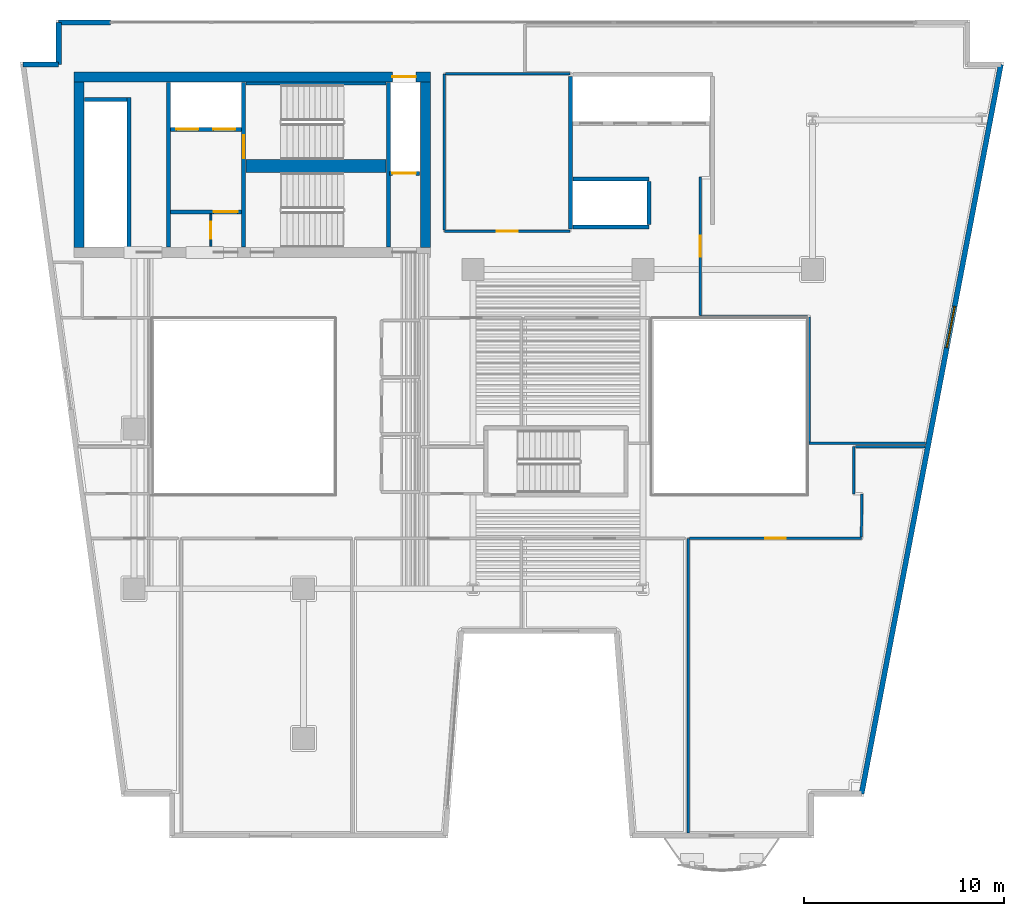
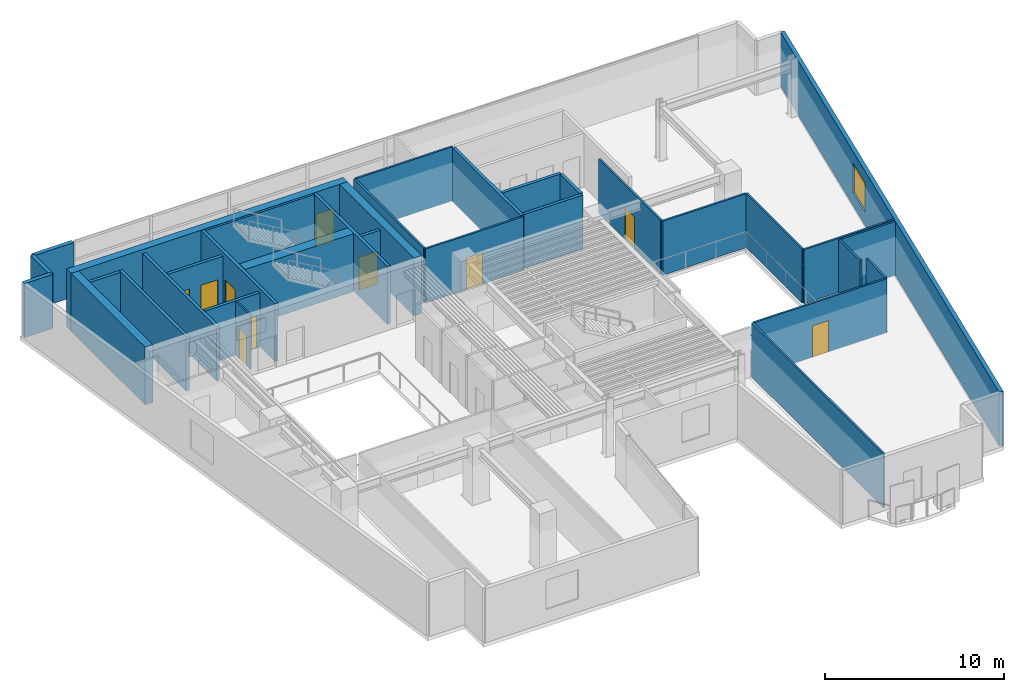
# One storey, part 7 of 12: 34 walls, 10 doors, 1 window, 11 openings.
"""IFC4 building model written with IfcOpenShell, lengths in metres."""

from ifc_helpers import new_model, si_unit, direction, frame, frame_2d, origin, place, context, subcontext, project, spatial, rectangle, extrude, material, layer, layer_set, type_object, element, fill, save


model = new_model("IFC4")

# Units and contexts
model_context = context("Model", 3, precision=1e-05, world=origin(), true_north=direction((0.0, 1.0)))
body_context = subcontext(model_context, "Body", "Model", "MODEL_VIEW")
ifc_project = project(units=[si_unit("LENGTHUNIT", "METRE"), si_unit("AREAUNIT", "SQUARE_METRE"), si_unit("VOLUMEUNIT", "CUBIC_METRE"), si_unit("PLANEANGLEUNIT", "RADIAN"), si_unit("MASSUNIT", "GRAM", prefix="KILO")], contexts=[model_context])

# Site, building, storey
site_placement = place(None, origin())
site = spatial("IfcSite", under=ifc_project, at=site_placement, CompositionType="ELEMENT")
building_placement = place(site_placement, origin())
building = spatial("IfcBuilding", under=site, at=building_placement, Name="Caeloran Harvest Quay", CompositionType="ELEMENT")
storey_placement = place(building_placement, frame((0.0, 0.0, 154.85009765625)))
storey = spatial("IfcBuildingStorey", under=building, at=storey_placement, Name="L36", CompositionType="ELEMENT", Elevation=154.85009765625)

# Walls
ifc_material_1 = material(Name="Precast concrete C50/60", Category="concrete")
ifc_layer_1 = layer(ifc_material_1, 0.260009765625, Name="Precast concrete C50/60")
ifc_layer_set_1 = layer_set([ifc_layer_1], Name="Precast concrete C50/60")
wall_type_1 = type_object("IfcWallType", Name="ENV-WALL-EW-260", PredefinedType="STANDARD", material=ifc_layer_set_1)
wall_1_placement = place(storey_placement, frame((2.939697265625, 41.27001953125, 0.0), z_axis=(0.0, 0.0, 1.0), x_axis=(1.0, 0.0, 0.0)))
element("IfcWall", 1, at=wall_1_placement, inside=storey, type_object=wall_type_1, Name="L36 Exterior Precast Concrete Facade Wall 4", PredefinedType="STANDARD", context=body_context, shape_type="SweptSolid", body=[
    extrude(rectangle(XDim=1.790283203125, YDim=0.260009765625, at=frame_2d((0.89501953125, 0.0))), origin(), (0.0, 0.0, 1.0), 3.68994140625),
])
wall_2_placement = place(storey_placement, frame((4.72998046875, 41.27001953125, 0.0), z_axis=(0.0, 0.0, 1.0), x_axis=(0.0, 1.0, 0.0)))
element("IfcWall", 2, at=wall_2_placement, inside=storey, type_object=wall_type_1, Name="L36 Exterior Precast Concrete Facade Wall 5", PredefinedType="STANDARD", context=body_context, shape_type="SweptSolid", body=[
    extrude(rectangle(XDim=2.10009765625, YDim=0.260009765625, at=frame_2d((1.050048828125, 0.0))), origin(), (0.0, 0.0, 1.0), 3.68994140625),
])
wall_3_placement = place(storey_placement, frame((4.72998046875, 43.3701171875, 0.0), z_axis=(0.0, 0.0, 1.0), x_axis=(1.0, 0.0, 0.0)))
element("IfcWall", 3, at=wall_3_placement, inside=storey, type_object=wall_type_1, Name="L36 Exterior Facade Corner Pier Wall 6A", PredefinedType="STANDARD", context=body_context, shape_type="SweptSolid", body=[
    extrude(rectangle(XDim=2.60009765625, YDim=0.260009765625, at=frame_2d((1.300048828125, 0.0))), origin(), (0.0, 0.0, 1.0), 3.68994140625),
])

# Wall, opening, window
wall_4_placement = place(storey_placement, frame((51.94189453125, 41.27001953125, 0.0), z_axis=(0.0, 0.0, 1.0), x_axis=(-0.187592192405, -0.982247000173, 0.0)))
wall_4 = element("IfcWall", 4, at=wall_4_placement, inside=storey, type_object=wall_type_1, Name="L36 Exterior Precast Concrete Facade Wall 9", PredefinedType="STANDARD", context=body_context, shape_type="SweptSolid", body=[
    extrude(rectangle(XDim=37.200439453125, YDim=0.260009765625, at=frame_2d((18.60009765625, 0.0))), origin(), (0.0, 0.0, 1.0), 3.68994140625),
])
opening_1_placement = place(wall_4_placement, frame((12.342041015625, 0.0, 0.89990234375)))
opening_1 = element("IfcOpeningElement", 5, at=opening_1_placement, cuts=wall_4, Name="Opening W-06", PredefinedType="OPENING", context=body_context, shape_type="SweptSolid", body=[
    extrude(rectangle(XDim=2.10009765625, YDim=2.0, at=frame_2d((1.050048828125, 1.0))), frame((0.0, 0.14013671875, 0.0), z_axis=(0.0, -1.0, 0.0), x_axis=(1.0, 0.0, 0.0)), (0.0, 0.0, 1.0), 0.280029296875),
])
ifc_material_2 = material(Name="Aluminium-Framed Low-E Laminated Glass", Category="aluminium")
window_type = type_object("IfcWindowType", Name="WIN-W-06", PartitioningType="DOUBLE_PANEL_VERTICAL", PredefinedType="WINDOW", material=ifc_material_2)
window_placement = place(opening_1_placement, origin())
window = element("IfcWindow", 6, at=window_placement, inside=storey, type_object=window_type, Name="L36 Facade Punched Window W-06", OverallHeight=2.0, OverallWidth=2.10009765625, PartitioningType="DOUBLE_PANEL_VERTICAL", PredefinedType="WINDOW", context=body_context, shape_type="SweptSolid", body=[
    extrude(rectangle(XDim=2.10009765625, YDim=2.0, at=frame_2d((1.050048828125, 1.0))), frame((0.0, 0.030029296875, 0.0), z_axis=(0.0, -1.0, 0.0), x_axis=(1.0, 0.0, 0.0)), (0.0, 0.0, 1.0), 0.06005859375),
])
fill(opening_1, window)

# Wall, opening, door
ifc_material_3 = material(Name="Fire-Resisting Gypsum Core Riser Partition", Category="gypsum")
ifc_layer_2 = layer(ifc_material_3, 0.10009765625, Name="Fire-Resisting Gypsum Core Riser Partition")
ifc_layer_set_2 = layer_set([ifc_layer_2], Name="Fire-Resisting Gypsum Core Riser Partition")
wall_type_2 = type_object("IfcWallType", Name="INT-WALL-PW-100", PredefinedType="PARTITIONING", material=ifc_layer_set_2)
wall_5_placement = place(storey_placement, frame((12.360107421875, 32.159912109375, 0.0), z_axis=(0.0, 0.0, 1.0), x_axis=(0.0, 1.0, 0.0)))
wall_5 = element("IfcWall", 7, at=wall_5_placement, inside=storey, type_object=wall_type_2, Name="L36 Core Store Partition Wall", PredefinedType="PARTITIONING", context=body_context, shape_type="SweptSolid", body=[
    extrude(rectangle(XDim=1.6201171875, YDim=0.10009765625, at=frame_2d((0.81005859375, 0.0))), origin(), (0.0, 0.0, 1.0), 3.68994140625),
])
opening_2_placement = place(wall_5_placement, frame((0.3798828125, 0.0, 0.0)))
opening_2 = element("IfcOpeningElement", 8, at=opening_2_placement, cuts=wall_5, Name="Opening SV-01", PredefinedType="OPENING", context=body_context, shape_type="SweptSolid", body=[
    extrude(rectangle(XDim=0.85009765625, YDim=2.10009765625, at=frame_2d((0.425048828125, 1.050048828125))), frame((0.0, 0.06005859375, 0.0), z_axis=(0.0, -1.0, 0.0), x_axis=(1.0, 0.0, 0.0)), (0.0, 0.0, 1.0), 0.1201171875),
])
ifc_material_4 = material(Name="Galvanized Painted Steel", Category="steel")
door_type_1 = type_object("IfcDoorType", Name="INTDOOR-SV-01", OperationType="NOTDEFINED", PredefinedType="DOOR", material=ifc_material_4)
door_1_placement = place(opening_2_placement, origin())
door_1 = element("IfcDoor", 9, at=door_1_placement, inside=storey, type_object=door_type_1, Name="L36 Core Service Room Access Door", OperationType="SINGLE_SWING_RIGHT", OverallHeight=2.10009765625, OverallWidth=0.85009765625, PredefinedType="DOOR", context=body_context, shape_type="SweptSolid", body=[
    extrude(rectangle(XDim=0.85009765625, YDim=2.10009765625, at=frame_2d((0.425048828125, 1.050048828125))), frame((0.0, 0.02490234375, 0.0), z_axis=(0.0, -1.0, 0.0), x_axis=(1.0, 0.0, 0.0)), (0.0, 0.0, 1.0), 0.050048828125),
])
fill(opening_2, door_1)

ifc_material_5 = material(Name="Twin-Stud Mineral-Wool Acoustic Gypsum Partition", Category="gypsum")
ifc_layer_3 = layer(ifc_material_5, 0.125, Name="Twin-Stud Mineral-Wool Acoustic Gypsum Partition")
ifc_layer_set_3 = layer_set([ifc_layer_3], Name="Twin-Stud Mineral-Wool Acoustic Gypsum Partition")
wall_type_3 = type_object("IfcWallType", Name="INT-WALL-PW-125", PredefinedType="PARTITIONING", material=ifc_layer_set_3)
wall_6_placement = place(storey_placement, frame((30.35009765625, 32.919921875, 0.0), z_axis=(0.0, 0.0, 1.0), x_axis=(-1.0, 0.0, 0.0)))
wall_6 = element("IfcWall", 10, at=wall_6_placement, inside=storey, type_object=wall_type_3, Name="L36 Bioinformatics and Crop Phenotyping Laboratory Partition Wall", PredefinedType="PARTITIONING", context=body_context, shape_type="SweptSolid", body=[
    extrude(rectangle(XDim=6.300048828125, YDim=0.125, at=frame_2d((3.14990234375, 0.0))), origin(), (0.0, 0.0, 1.0), 3.68994140625),
])
opening_3_placement = place(wall_6_placement, frame((2.625, 0.0, 0.0)))
opening_3 = element("IfcOpeningElement", 11, at=opening_3_placement, cuts=wall_6, Name="Opening ID-03", PredefinedType="OPENING", context=body_context, shape_type="SweptSolid", body=[
    extrude(rectangle(XDim=1.050048828125, YDim=2.14990234375, at=frame_2d((0.52490234375, 1.074951171875))), frame((0.0, 0.072509765625, 0.0), z_axis=(0.0, -1.0, 0.0), x_axis=(1.0, 0.0, 0.0)), (0.0, 0.0, 1.0), 0.14501953125),
])
ifc_material_6 = material(Name="FSC Solid-Core Oak Timber Leaf", Category="wood")
door_type_2 = type_object("IfcDoorType", Name="INTDOOR-ID-03", OperationType="NOTDEFINED", PredefinedType="DOOR", material=ifc_material_6)
door_2_placement = place(opening_3_placement, origin())
door_2 = element("IfcDoor", 12, at=door_2_placement, inside=storey, type_object=door_type_2, Name="L36 Bioinformatics and Crop Phenotyping Laboratory Access Door", OperationType="SINGLE_SWING_RIGHT", OverallHeight=2.14990234375, OverallWidth=1.050048828125, PredefinedType="DOOR", context=body_context, shape_type="SweptSolid", body=[
    extrude(rectangle(XDim=1.050048828125, YDim=2.14990234375, at=frame_2d((0.52490234375, 1.074951171875))), frame((0.0, 0.02490234375, 0.0), z_axis=(0.0, -1.0, 0.0), x_axis=(1.0, 0.0, 0.0)), (0.0, 0.0, 1.0), 0.050048828125),
])
fill(opening_3, door_2)

# Walls
wall_7_placement = place(storey_placement, frame((24.050048828125, 32.987548828125, 0.0), z_axis=(0.0, 0.0, 1.0), x_axis=(0.0, 1.0, 0.0)))
element("IfcWall", 13, at=wall_7_placement, inside=storey, type_object=wall_type_3, Name="L36 Bioinformatics and Crop Phenotyping Laboratory Partition Wall", PredefinedType="PARTITIONING", context=body_context, shape_type="SweptSolid", body=[
    extrude(rectangle(XDim=7.8125, YDim=0.125, at=frame_2d((3.90625, 0.0))), origin(), (0.0, 0.0, 1.0), 3.68994140625),
])
wall_8_placement = place(storey_placement, frame((24.117431640625, 40.800048828125, 0.0), z_axis=(0.0, 0.0, 1.0), x_axis=(1.0, 0.0, 0.0)))
element("IfcWall", 14, at=wall_8_placement, inside=storey, type_object=wall_type_3, Name="L36 Bioinformatics and Crop Phenotyping Laboratory Partition Wall", PredefinedType="PARTITIONING", context=body_context, shape_type="SweptSolid", body=[
    extrude(rectangle(XDim=6.232666015625, YDim=0.125, at=frame_2d((3.1162109375, 0.0))), origin(), (0.0, 0.0, 1.0), 3.68994140625),
])
wall_9_placement = place(storey_placement, frame((44.580078125, 19.75, 0.0), z_axis=(0.0, 0.0, 1.0), x_axis=(0.0, 1.0, 0.0)))
element("IfcWall", 15, at=wall_9_placement, inside=storey, type_object=wall_type_3, Name="Seed IP Legal Counsel Office Partition Wall", PredefinedType="PARTITIONING", context=body_context, shape_type="SweptSolid", body=[
    extrude(rectangle(XDim=2.3701171875, YDim=0.125, at=frame_2d((1.18505859375, 0.0))), origin(), (0.0, 0.0, 1.0), 3.68994140625),
])
wall_10_placement = place(storey_placement, frame((44.6474609375, 22.1201171875, 0.0), z_axis=(0.0, 0.0, 1.0), x_axis=(1.0, 0.0, 0.0)))
element("IfcWall", 16, at=wall_10_placement, inside=storey, type_object=wall_type_3, Name="Seed IP Legal Counsel Office Partition Wall", PredefinedType="PARTITIONING", context=body_context, shape_type="SweptSolid", body=[
    extrude(rectangle(XDim=3.499755859375, YDim=0.125, at=frame_2d((1.75, 0.0))), origin(), (0.0, 0.0, 1.0), 3.68994140625),
])
wall_11_placement = place(storey_placement, frame((36.280029296875, 2.764892578125, 0.0), z_axis=(0.0, 0.0, 1.0), x_axis=(0.0, 1.0, 0.0)))
element("IfcWall", 17, at=wall_11_placement, inside=storey, type_object=wall_type_3, Name="Seed IP Legal Counsel Office Partition Wall", PredefinedType="PARTITIONING", context=body_context, shape_type="SweptSolid", body=[
    extrude(rectangle(XDim=14.755126953125, YDim=0.125, at=frame_2d((7.37744140625, 0.0))), origin(), (0.0, 0.0, 1.0), 3.68994140625),
])

# Wall, opening, door
wall_12_placement = place(storey_placement, frame((36.347412109375, 17.52001953125, 0.0), z_axis=(0.0, 0.0, 1.0), x_axis=(1.0, 0.0, 0.0)))
wall_12 = element("IfcWall", 18, at=wall_12_placement, inside=storey, type_object=wall_type_3, Name="Seed IP Legal Counsel Office Partition Wall", PredefinedType="PARTITIONING", context=body_context, shape_type="SweptSolid", body=[
    extrude(rectangle(XDim=8.6025390625, YDim=0.125, at=frame_2d((4.30126953125, 0.0))), origin(), (0.0, 0.0, 1.0), 3.68994140625),
])
opening_4_placement = place(wall_12_placement, frame((3.7763671875, 0.0, 0.0)))
opening_4 = element("IfcOpeningElement", 19, at=opening_4_placement, cuts=wall_12, Name="Opening ID-03", PredefinedType="OPENING", context=body_context, shape_type="SweptSolid", body=[
    extrude(rectangle(XDim=1.050048828125, YDim=2.14990234375, at=frame_2d((0.52490234375, 1.074951171875))), frame((0.0, 0.072509765625, 0.0), z_axis=(0.0, -1.0, 0.0), x_axis=(1.0, 0.0, 0.0)), (0.0, 0.0, 1.0), 0.14501953125),
])
door_3_placement = place(opening_4_placement, origin())
door_3 = element("IfcDoor", 20, at=door_3_placement, inside=storey, type_object=door_type_2, Name="Seed IP Legal Counsel Office Access Door", OperationType="SINGLE_SWING_RIGHT", OverallHeight=2.14990234375, OverallWidth=1.050048828125, PredefinedType="DOOR", context=body_context, shape_type="SweptSolid", body=[
    extrude(rectangle(XDim=1.050048828125, YDim=2.14990234375, at=frame_2d((0.52490234375, 1.074951171875))), frame((0.0, 0.02490234375, 0.0), z_axis=(0.0, -1.0, 0.0), x_axis=(1.0, 0.0, 0.0)), (0.0, 0.0, 1.0), 0.050048828125),
])
fill(opening_4, door_3)

# Walls
wall_13_placement = place(storey_placement, frame((44.950927734375, 17.58740234375, 0.0), z_axis=(0.0, 0.0, 1.0), x_axis=(0.01343297167, 0.999909773566, 0.0)))
element("IfcWall", 21, at=wall_13_placement, inside=storey, type_object=wall_type_3, Name="Seed IP Legal Counsel Office Partition Wall", PredefinedType="PARTITIONING", context=body_context, shape_type="SweptSolid", body=[
    extrude(rectangle(XDim=2.162841796875, YDim=0.125, at=frame_2d((1.08154296875, 0.0))), origin(), (0.0, 0.0, 1.0), 3.68994140625),
])
wall_14_placement = place(storey_placement, frame((48.177734375, 22.280029296875, 0.0), z_axis=(0.0, 0.0, 1.0), x_axis=(-1.0, 0.0, 0.0)))
element("IfcWall", 22, at=wall_14_placement, inside=storey, type_object=wall_type_3, Name="Seed IP Legal Counsel Office 11 Partition Wall", PredefinedType="PARTITIONING", context=body_context, shape_type="SweptSolid", body=[
    extrude(rectangle(XDim=5.84765625, YDim=0.125, at=frame_2d((2.923828125, 0.0))), origin(), (0.0, 0.0, 1.0), 3.68994140625),
])
wall_15_placement = place(storey_placement, frame((42.330078125, 22.347412109375, 0.0), z_axis=(0.0, 0.0, 1.0), x_axis=(0.0, 1.0, 0.0)))
element("IfcWall", 23, at=wall_15_placement, inside=storey, type_object=wall_type_3, Name="Seed IP Legal Counsel Office 11 Partition Wall", PredefinedType="PARTITIONING", context=body_context, shape_type="SweptSolid", body=[
    extrude(rectangle(XDim=6.282470703125, YDim=0.125, at=frame_2d((3.14111328125, 0.0))), origin(), (0.0, 0.0, 1.0), 3.68994140625),
])
wall_16_placement = place(storey_placement, frame((42.262451171875, 28.6298828125, 0.0), z_axis=(0.0, 0.0, 1.0), x_axis=(-1.0, 0.0, 0.0)))
element("IfcWall", 24, at=wall_16_placement, inside=storey, type_object=wall_type_3, Name="Seed IP Legal Counsel Office 11 Partition Wall", PredefinedType="PARTITIONING", context=body_context, shape_type="SweptSolid", body=[
    extrude(rectangle(XDim=5.382568359375, YDim=0.125, at=frame_2d((2.69140625, 0.0))), origin(), (0.0, 0.0, 1.0), 3.68994140625),
])

# Wall, opening, door
wall_17_placement = place(storey_placement, frame((36.8798828125, 28.697509765625, 0.0), z_axis=(0.0, 0.0, 1.0), x_axis=(0.0, 1.0, 0.0)))
wall_17 = element("IfcWall", 25, at=wall_17_placement, inside=storey, type_object=wall_type_3, Name="Seed IP Legal Counsel Office 11 Partition Wall", PredefinedType="PARTITIONING", context=body_context, shape_type="SweptSolid", body=[
    extrude(rectangle(XDim=6.922607421875, YDim=0.125, at=frame_2d((3.46142578125, 0.0))), origin(), (0.0, 0.0, 1.0), 3.68994140625),
])
opening_5_placement = place(wall_17_placement, frame((2.936279296875, 0.0, 0.0)))
opening_5 = element("IfcOpeningElement", 26, at=opening_5_placement, cuts=wall_17, Name="Opening ID-03", PredefinedType="OPENING", context=body_context, shape_type="SweptSolid", body=[
    extrude(rectangle(XDim=1.050048828125, YDim=2.14990234375, at=frame_2d((0.52490234375, 1.074951171875))), frame((0.0, 0.072509765625, 0.0), z_axis=(0.0, -1.0, 0.0), x_axis=(1.0, 0.0, 0.0)), (0.0, 0.0, 1.0), 0.14501953125),
])
door_4_placement = place(opening_5_placement, origin())
door_4 = element("IfcDoor", 27, at=door_4_placement, inside=storey, type_object=door_type_2, Name="Seed IP Legal Counsel Office 11 Access Door", OperationType="SINGLE_SWING_RIGHT", OverallHeight=2.14990234375, OverallWidth=1.050048828125, PredefinedType="DOOR", context=body_context, shape_type="SweptSolid", body=[
    extrude(rectangle(XDim=1.050048828125, YDim=2.14990234375, at=frame_2d((0.52490234375, 1.074951171875))), frame((0.0, 0.02490234375, 0.0), z_axis=(0.0, -1.0, 0.0), x_axis=(1.0, 0.0, 0.0)), (0.0, 0.0, 1.0), 0.050048828125),
])
fill(opening_5, door_4)

# Walls
ifc_material_7 = material(Name="Concrete C50/60", Category="concrete")
ifc_layer_4 = layer(ifc_material_7, 0.199951171875, Name="Concrete C50/60")
ifc_layer_set_4 = layer_set([ifc_layer_4], Name="Concrete C50/60")
wall_type_4 = type_object("IfcWallType", Name="INT-WALL-SW-200", PredefinedType="PARTITIONING", material=ifc_layer_set_4)
wall_18_placement = place(storey_placement, frame((8.260009765625, 32.1201171875, 0.0), z_axis=(0.0, 0.0, 1.0), x_axis=(0.0, 1.0, 0.0)))
element("IfcWall", 28, at=wall_18_placement, inside=storey, type_object=wall_type_4, Name="L36 Bank 3 Lift Shaft Wall", PredefinedType="PARTITIONING", context=body_context, shape_type="SweptSolid", body=[
    extrude(rectangle(XDim=7.5, YDim=0.199951171875, at=frame_2d((3.75, 0.0))), origin(), (0.0, 0.0, 1.0), 3.68994140625),
])
wall_19_placement = place(storey_placement, frame((6.02001953125, 39.52001953125, 0.0), z_axis=(0.0, 0.0, 1.0), x_axis=(1.0, 0.0, 0.0)))
element("IfcWall", 29, at=wall_19_placement, inside=storey, type_object=wall_type_4, Name="L36 Bank 3 Lift Shaft North End Wall", PredefinedType="PARTITIONING", context=body_context, shape_type="SweptSolid", body=[
    extrude(rectangle(XDim=2.119873046875, YDim=0.199951171875, at=frame_2d((1.06005859375, 0.0))), origin(), (0.0, 0.0, 1.0), 3.68994140625),
])
wall_20_placement = place(storey_placement, frame((10.219970703125, 32.1201171875, 0.0), z_axis=(0.0, 0.0, 1.0), x_axis=(0.0, 1.0, 0.0)))
element("IfcWall", 30, at=wall_20_placement, inside=storey, type_object=wall_type_4, Name="L36 Core Lobby Compartment Wall", PredefinedType="PARTITIONING", context=body_context, shape_type="SweptSolid", body=[
    extrude(rectangle(XDim=8.259765625, YDim=0.199951171875, at=frame_2d((4.1298828125, 0.0))), origin(), (0.0, 0.0, 1.0), 3.68994140625),
])

# Wall, openings, doors
wall_21_placement = place(storey_placement, frame((10.340087890625, 38.02001953125, 0.0), z_axis=(0.0, 0.0, 1.0), x_axis=(1.0, 0.0, 0.0)))
wall_21 = element("IfcWall", 31, at=wall_21_placement, inside=storey, type_object=wall_type_4, Name="L36 Firefighting Lift Shaft Wall", PredefinedType="PARTITIONING", context=body_context, shape_type="SweptSolid", body=[
    extrude(rectangle(XDim=3.539794921875, YDim=0.199951171875, at=frame_2d((1.77001953125, 0.0))), origin(), (0.0, 0.0, 1.0), 3.68994140625),
])
opening_6_placement = place(wall_21_placement, frame((0.284912109375, 0.0, 0.0)))
opening_6 = element("IfcOpeningElement", 32, at=opening_6_placement, cuts=wall_21, Name="Opening LD-01", PredefinedType="OPENING", context=body_context, shape_type="SweptSolid", body=[
    extrude(rectangle(XDim=1.10009765625, YDim=2.199951171875, at=frame_2d((0.550048828125, 1.10009765625))), frame((0.0, 0.10986328125, 0.0), z_axis=(0.0, -1.0, 0.0), x_axis=(1.0, 0.0, 0.0)), (0.0, 0.0, 1.0), 0.219970703125),
])
opening_7_placement = place(wall_21_placement, frame((2.135009765625, 0.0, 0.0)))
opening_7 = element("IfcOpeningElement", 33, at=opening_7_placement, cuts=wall_21, Name="Opening LD-01", PredefinedType="OPENING", context=body_context, shape_type="SweptSolid", body=[
    extrude(rectangle(XDim=1.10009765625, YDim=2.199951171875, at=frame_2d((0.550048828125, 1.10009765625))), frame((0.0, 0.10986328125, 0.0), z_axis=(0.0, -1.0, 0.0), x_axis=(1.0, 0.0, 0.0)), (0.0, 0.0, 1.0), 0.219970703125),
])
ifc_material_8 = material(Name="Stainless Steel Grade 316", Category="steel")
door_type_3 = type_object("IfcDoorType", Name="INTDOOR-LD-01", OperationType="NOTDEFINED", PredefinedType="DOOR", material=ifc_material_8)
door_5_placement = place(opening_6_placement, origin())
door_5 = element("IfcDoor", 34, at=door_5_placement, inside=storey, type_object=door_type_3, Name="Lift FF-1 Sliding Landing Door (L36)", OperationType="DOUBLE_DOOR_SLIDING", OverallHeight=2.199951171875, OverallWidth=1.10009765625, PredefinedType="DOOR", context=body_context, shape_type="SweptSolid", body=[
    extrude(rectangle(XDim=1.10009765625, YDim=2.199951171875, at=frame_2d((0.550048828125, 1.10009765625))), frame((0.0, 0.02490234375, 0.0), z_axis=(0.0, -1.0, 0.0), x_axis=(1.0, 0.0, 0.0)), (0.0, 0.0, 1.0), 0.050048828125),
])
fill(opening_6, door_5)
door_6_placement = place(opening_7_placement, origin())
door_6 = element("IfcDoor", 35, at=door_6_placement, inside=storey, type_object=door_type_3, Name="Lift FF-2 Sliding Landing Door (L36)", OperationType="DOUBLE_DOOR_SLIDING", OverallHeight=2.199951171875, OverallWidth=1.10009765625, PredefinedType="DOOR", context=body_context, shape_type="SweptSolid", body=[
    extrude(rectangle(XDim=1.10009765625, YDim=2.199951171875, at=frame_2d((0.550048828125, 1.10009765625))), frame((0.0, 0.02490234375, 0.0), z_axis=(0.0, -1.0, 0.0), x_axis=(1.0, 0.0, 0.0)), (0.0, 0.0, 1.0), 0.050048828125),
])
fill(opening_7, door_6)

# Wall, opening, door
wall_22_placement = place(storey_placement, frame((10.340087890625, 33.8798828125, 0.0), z_axis=(0.0, 0.0, 1.0), x_axis=(1.0, 0.0, 0.0)))
wall_22 = element("IfcWall", 36, at=wall_22_placement, inside=storey, type_object=wall_type_4, Name="L36 Firefighting Lift Lobby Enclosure Wall", PredefinedType="PARTITIONING", context=body_context, shape_type="SweptSolid", body=[
    extrude(rectangle(XDim=3.559814453125, YDim=0.199951171875, at=frame_2d((1.77978515625, 0.0))), origin(), (0.0, 0.0, 1.0), 3.68994140625),
])
opening_8_placement = place(wall_22_placement, frame((2.14990234375, 0.0, 0.0)))
opening_8 = element("IfcOpeningElement", 37, at=opening_8_placement, cuts=wall_22, Name="Opening FD-01", PredefinedType="OPENING", context=body_context, shape_type="SweptSolid", body=[
    extrude(rectangle(XDim=1.199951171875, YDim=2.199951171875, at=frame_2d((0.60009765625, 1.10009765625))), frame((0.0, 0.10986328125, 0.0), z_axis=(0.0, -1.0, 0.0), x_axis=(1.0, 0.0, 0.0)), (0.0, 0.0, 1.0), 0.219970703125),
])
ifc_material_9 = material(Name="Steel", Category="steel")
door_type_4 = type_object("IfcDoorType", Name="INTDOOR-FD-01", OperationType="NOTDEFINED", PredefinedType="DOOR", material=ifc_material_9)
door_7_placement = place(opening_8_placement, origin())
door_7 = element("IfcDoor", 38, at=door_7_placement, inside=storey, type_object=door_type_4, Name="L36 Firefighting Lift Lobby Smoke-Seal Fire Door", OperationType="SINGLE_SWING_RIGHT", OverallHeight=2.199951171875, OverallWidth=1.199951171875, PredefinedType="DOOR", context=body_context, shape_type="SweptSolid", body=[
    extrude(rectangle(XDim=1.199951171875, YDim=2.199951171875, at=frame_2d((0.60009765625, 1.10009765625))), frame((0.0, 0.02490234375, 0.0), z_axis=(0.0, -1.0, 0.0), x_axis=(1.0, 0.0, 0.0)), (0.0, 0.0, 1.0), 0.050048828125),
])
fill(opening_8, door_7)

wall_23_placement = place(storey_placement, frame((21.300048828125, 35.820068359375, 0.0), z_axis=(0.0, 0.0, 1.0), x_axis=(1.0, 0.0, 0.0)))
wall_23 = element("IfcWall", 39, at=wall_23_placement, inside=storey, type_object=wall_type_4, Name="L36 Service Lift SV-2 Shaft Wall", PredefinedType="PARTITIONING", context=body_context, shape_type="SweptSolid", body=[
    extrude(rectangle(XDim=1.5, YDim=0.199951171875, at=frame_2d((0.75, 0.0))), origin(), (0.0, 0.0, 1.0), 3.68994140625),
])
opening_9_placement = place(wall_23_placement, frame((0.14501953125, 0.0, 0.0)))
opening_9 = element("IfcOpeningElement", 40, at=opening_9_placement, cuts=wall_23, Name="Opening LD-02", PredefinedType="OPENING", context=body_context, shape_type="SweptSolid", body=[
    extrude(rectangle(XDim=1.179931640625, YDim=2.25, at=frame_2d((0.58984375, 1.125))), frame((0.0, 0.10986328125, 0.0), z_axis=(0.0, -1.0, 0.0), x_axis=(1.0, 0.0, 0.0)), (0.0, 0.0, 1.0), 0.219970703125),
])
door_type_5 = type_object("IfcDoorType", Name="INTDOOR-LD-02", OperationType="NOTDEFINED", PredefinedType="DOOR", material=ifc_material_8)
door_8_placement = place(opening_9_placement, origin())
door_8 = element("IfcDoor", 41, at=door_8_placement, inside=storey, type_object=door_type_5, Name="Lift SV-2 Sliding Landing Door (L36)", OperationType="DOUBLE_DOOR_SLIDING", OverallHeight=2.25, OverallWidth=1.179931640625, PredefinedType="DOOR", context=body_context, shape_type="SweptSolid", body=[
    extrude(rectangle(XDim=1.179931640625, YDim=2.25, at=frame_2d((0.58984375, 1.125))), frame((0.0, 0.02490234375, 0.0), z_axis=(0.0, -1.0, 0.0), x_axis=(1.0, 0.0, 0.0)), (0.0, 0.0, 1.0), 0.050048828125),
])
fill(opening_9, door_8)

# Walls
wall_24_placement = place(storey_placement, frame((30.3798828125, 33.02001953125, 0.0), z_axis=(0.0, 0.0, 1.0), x_axis=(0.0, 1.0, 0.0)))
element("IfcWall", 42, at=wall_24_placement, inside=storey, type_object=wall_type_4, Name="L36 Bank 2 and Shuttle Lift Shaft West Wall", PredefinedType="PARTITIONING", context=body_context, shape_type="SweptSolid", body=[
    extrude(rectangle(XDim=7.639892578125, YDim=0.199951171875, at=frame_2d((3.81982421875, 0.0))), origin(), (0.0, 0.0, 1.0), 3.68994140625),
])
for number, where, z_axis, x_axis, name in (
    (43, (30.5, 35.530029296875, 0.0), (0.0, 0.0, 1.0), (1.0, 0.0, 0.0), "L36 Shuttle Lift Landing Front Wall"),
    (44, (30.5, 33.1201171875, 0.0), (0.0, 0.0, 1.0), (1.0, 0.0, 0.0), "L36 Shuttle Lift Shaft South Wall"),
):
    element("IfcWall", number, at=place(storey_placement, frame(where, z_axis=z_axis, x_axis=x_axis)), inside=storey, type_object=wall_type_4, Name=name, PredefinedType="PARTITIONING", context=body_context, shape_type="SweptSolid", body=[
        extrude(rectangle(XDim=3.800048828125, YDim=0.199951171875, at=frame_2d((1.89990234375, 0.0))), origin(), (0.0, 0.0, 1.0), 3.68994140625),
    ])
wall_25_placement = place(storey_placement, frame((34.300048828125, 33.239990234375, 0.0), z_axis=(0.0, 0.0, 1.0), x_axis=(0.0, 1.0, 0.0)))
element("IfcWall", 45, at=wall_25_placement, inside=storey, type_object=wall_type_4, Name="L36 Shuttle Lift Shaft East Wall", PredefinedType="PARTITIONING", context=body_context, shape_type="SweptSolid", body=[
    extrude(rectangle(XDim=2.169921875, YDim=0.199951171875, at=frame_2d((1.0849609375, 0.0))), origin(), (0.0, 0.0, 1.0), 3.68994140625),
])

# Wall, opening, door
ifc_material_10 = material(Name="Concrete C70/85", Category="concrete")
ifc_layer_5 = layer(ifc_material_10, 0.5, Name="Concrete C70/85")
ifc_layer_set_5 = layer_set([ifc_layer_5], Name="Concrete C70/85")
wall_type_5 = type_object("IfcWallType", Name="STR-WALL-CW-500", PredefinedType="SHEAR", material=ifc_layer_set_5)
wall_26_placement = place(storey_placement, frame((5.5, 40.64990234375, 0.0), z_axis=(0.0, 0.0, 1.0), x_axis=(1.0, 0.0, 0.0)))
wall_26 = element("IfcWall", 46, at=wall_26_placement, inside=storey, type_object=wall_type_5, Name="L36 Rear Core Shear Wall N", PredefinedType="SHEAR", context=body_context, shape_type="SweptSolid", body=[
    extrude(rectangle(XDim=17.85009765625, YDim=0.5, at=frame_2d((8.925048828125, 0.0))), origin(), (0.0, 0.0, 1.0), 3.949951171875),
])
opening_10_placement = place(wall_26_placement, frame((15.945068359375, 0.0, 0.0)))
opening_10 = element("IfcOpeningElement", 47, at=opening_10_placement, cuts=wall_26, Name="Opening LD-02", PredefinedType="OPENING", context=body_context, shape_type="SweptSolid", body=[
    extrude(rectangle(XDim=1.179931640625, YDim=2.25, at=frame_2d((0.58984375, 1.125))), frame((0.0, 0.260009765625, 0.0), z_axis=(0.0, -1.0, 0.0), x_axis=(1.0, 0.0, 0.0)), (0.0, 0.0, 1.0), 0.52001953125),
])
door_9_placement = place(opening_10_placement, origin())
door_9 = element("IfcDoor", 48, at=door_9_placement, inside=storey, type_object=door_type_5, Name="Lift SV-1 Sliding Landing Door (L36)", OperationType="DOUBLE_DOOR_SLIDING", OverallHeight=2.25, OverallWidth=1.179931640625, PredefinedType="DOOR", context=body_context, shape_type="SweptSolid", body=[
    extrude(rectangle(XDim=1.179931640625, YDim=2.25, at=frame_2d((0.58984375, 1.125))), frame((0.0, 0.02490234375, 0.0), z_axis=(0.0, -1.0, 0.0), x_axis=(1.0, 0.0, 0.0)), (0.0, 0.0, 1.0), 0.050048828125),
])
fill(opening_10, door_9)

# Walls
for number, where, z_axis, x_axis, name in (
    (49, (5.75, 32.10009765625, 0.0), (0.0, 0.0, 1.0), (0.0, 1.0, 0.0), "L36 Rear Core Shear Wall W"),
    (50, (23.10009765625, 32.10009765625, 0.0), (0.0, 0.0, 1.0), (0.0, 1.0, 0.0), "L36 Rear Core Shear Wall E"),
):
    element("IfcWall", number, at=place(storey_placement, frame(where, z_axis=z_axis, x_axis=x_axis)), inside=storey, type_object=wall_type_5, Name=name, PredefinedType="SHEAR", context=body_context, shape_type="SweptSolid", body=[
        extrude(rectangle(XDim=8.2998046875, YDim=0.5, at=frame_2d((4.14990234375, 0.0))), origin(), (0.0, 0.0, 1.0), 3.949951171875),
    ])
ifc_material_11 = material(Name="Concrete C60/75", Category="concrete")
ifc_layer_6 = layer(ifc_material_11, 0.64990234375, Name="Concrete C60/75")
ifc_layer_set_6 = layer_set([ifc_layer_6], Name="Concrete C60/75")
wall_type_6 = type_object("IfcWallType", Name="STR-WALL-CW-650", PredefinedType="SHEAR", material=ifc_layer_set_6)
wall_27_placement = place(storey_placement, frame((14.1201171875, 36.175048828125, 0.0), z_axis=(0.0, 0.0, 1.0), x_axis=(1.0, 0.0, 0.0)))
element("IfcWall", 51, at=wall_27_placement, inside=storey, type_object=wall_type_6, Name="L36 Core Stairs Dividing Shear Wall", PredefinedType="SHEAR", context=body_context, shape_type="SweptSolid", body=[
    extrude(rectangle(XDim=7.009765625, YDim=0.64990234375, at=frame_2d((3.5048828125, 0.0))), origin(), (0.0, 0.0, 1.0), 3.949951171875),
])
ifc_layer_7 = layer(ifc_material_11, 0.139892578125, Name="Concrete C60/75")
ifc_layer_set_7 = layer_set([ifc_layer_7], Name="Concrete C60/75")
wall_type_7 = type_object("IfcWallType", Name="STR-WALL-SW-140", PredefinedType="SHEAR", material=ifc_layer_set_7)
wall_28_placement = place(storey_placement, frame((14.1201171875, 40.320068359375, 0.0), z_axis=(0.0, 0.0, 1.0), x_axis=(1.0, 0.0, 0.0)))
element("IfcWall", 52, at=wall_28_placement, inside=storey, type_object=wall_type_7, Name="L36 Core Stair ST-C1 North Bearing Shear Wall", PredefinedType="SHEAR", context=body_context, shape_type="SweptSolid", body=[
    extrude(rectangle(XDim=7.009765625, YDim=0.139892578125, at=frame_2d((3.5048828125, 0.0))), origin(), (0.0, 0.0, 1.0), 3.949951171875),
])

# Wall, opening, door
ifc_layer_8 = layer(ifc_material_11, 0.199951171875, Name="Concrete C60/75")
ifc_layer_set_8 = layer_set([ifc_layer_8], Name="Concrete C60/75")
wall_type_8 = type_object("IfcWallType", Name="STR-WALL-SW-200", PredefinedType="SHEAR", material=ifc_layer_set_8)
wall_29_placement = place(storey_placement, frame((14.0, 32.1201171875, 0.0), z_axis=(0.0, 0.0, 1.0), x_axis=(0.0, 1.0, 0.0)))
wall_29 = element("IfcWall", 53, at=wall_29_placement, inside=storey, type_object=wall_type_8, Name="L36 Core Stair Shaft West Shear Wall", PredefinedType="SHEAR", context=body_context, shape_type="SweptSolid", body=[
    extrude(rectangle(XDim=8.259765625, YDim=0.199951171875, at=frame_2d((4.1298828125, 0.0))), origin(), (0.0, 0.0, 1.0), 3.949951171875),
])
opening_11_placement = place(wall_29_placement, frame((4.4599609375, 0.0, 0.0)))
opening_11 = element("IfcOpeningElement", 54, at=opening_11_placement, cuts=wall_29, Name="Opening SD-01", PredefinedType="OPENING", context=body_context, shape_type="SweptSolid", body=[
    extrude(rectangle(XDim=1.14990234375, YDim=2.199951171875, at=frame_2d((0.574951171875, 1.10009765625))), frame((0.0, 0.10986328125, 0.0), z_axis=(0.0, -1.0, 0.0), x_axis=(1.0, 0.0, 0.0)), (0.0, 0.0, 1.0), 0.219970703125),
])
door_type_6 = type_object("IfcDoorType", Name="INTDOOR-SD-01", OperationType="NOTDEFINED", PredefinedType="DOOR", material=ifc_material_9)
door_10_placement = place(opening_11_placement, origin())
door_10 = element("IfcDoor", 55, at=door_10_placement, inside=storey, type_object=door_type_6, Name="L36 Protected Stair ST-C1 Exit Door", OperationType="SINGLE_SWING_LEFT", OverallHeight=2.199951171875, OverallWidth=1.14990234375, PredefinedType="DOOR", context=body_context, shape_type="SweptSolid", body=[
    extrude(rectangle(XDim=1.14990234375, YDim=2.199951171875, at=frame_2d((0.574951171875, 1.10009765625))), frame((0.0, 0.02490234375, 0.0), z_axis=(0.0, -1.0, 0.0), x_axis=(1.0, 0.0, 0.0)), (0.0, 0.0, 1.0), 0.050048828125),
])
fill(opening_11, door_10)

# Wall
wall_30_placement = place(storey_placement, frame((21.25, 32.1201171875, 0.0), z_axis=(0.0, 0.0, 1.0), x_axis=(0.0, 1.0, 0.0)))
element("IfcWall", 56, at=wall_30_placement, inside=storey, type_object=wall_type_8, Name="L36 Core Stair Shaft East Shear Wall", PredefinedType="SHEAR", context=body_context, shape_type="SweptSolid", body=[
    extrude(rectangle(XDim=8.259765625, YDim=0.199951171875, at=frame_2d((4.1298828125, 0.0))), origin(), (0.0, 0.0, 1.0), 3.949951171875),
])

save(model, "model.ifc")
